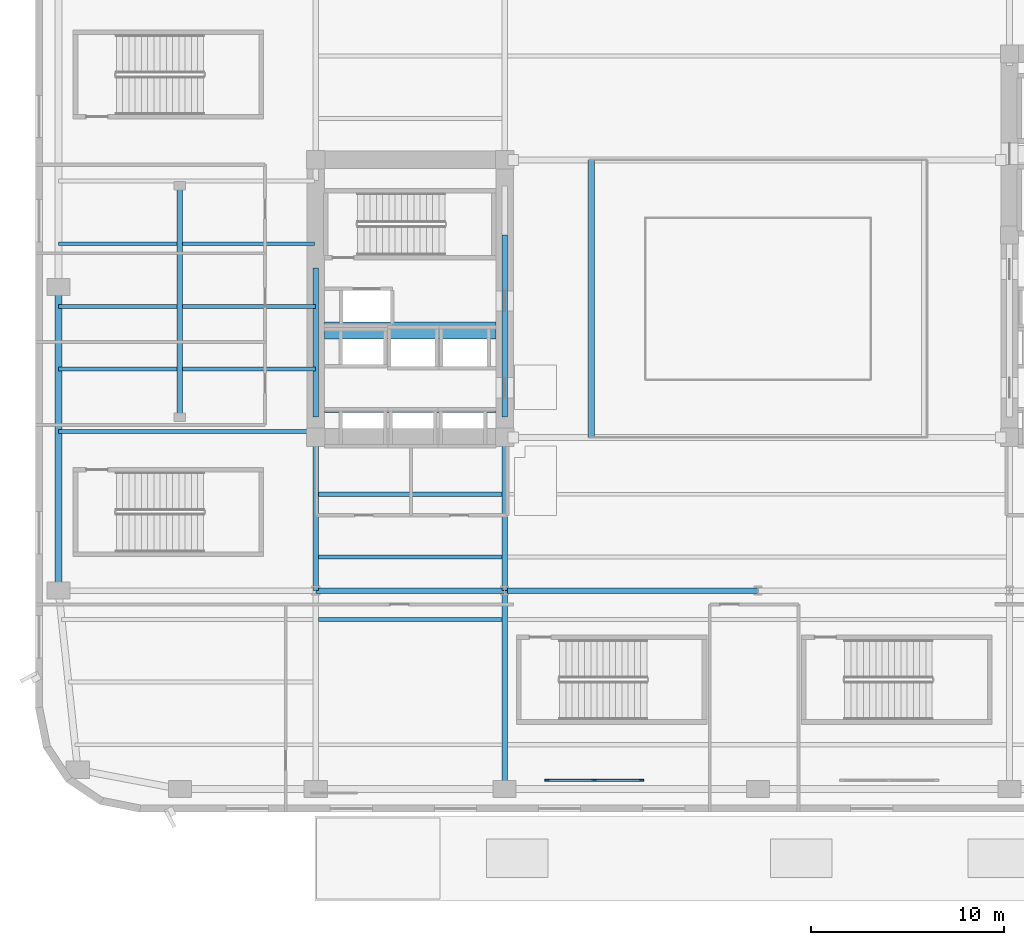
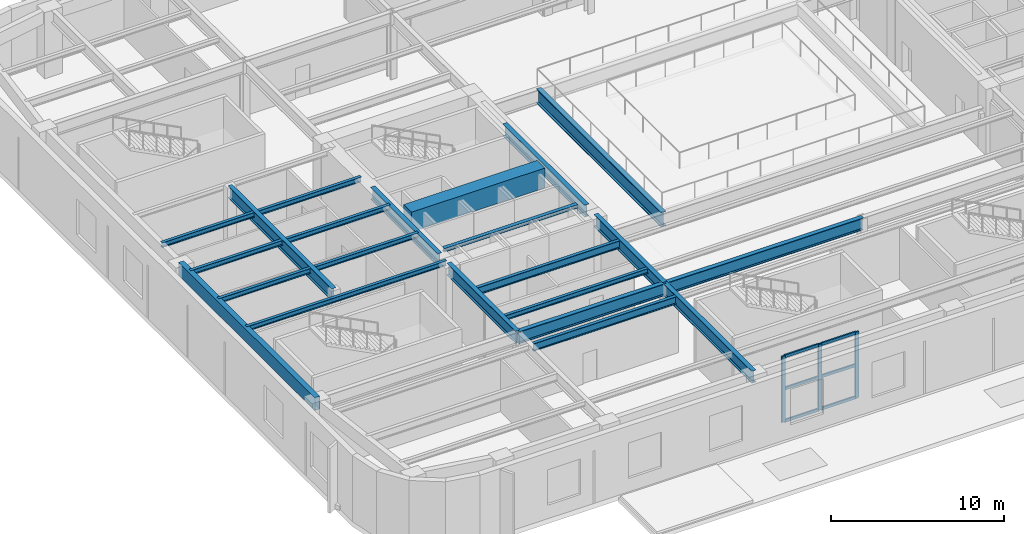
# One storey, part 2 of 24: 22 beams, 9 members, 1 element without a shape of its own.
"""IFC4 building model written with IfcOpenShell, lengths in metres."""

from ifc_helpers import new_model, si_unit, direction, frame, origin, origin_2d, place, context, subcontext, project, spatial, rectangle, hollow_rectangle, i_section, extrude, material, material_profile, profile_set, type_object, element, aggregate, save


model = new_model("IFC4")

# Units and contexts
model_context = context("Model", 3, precision=1e-05, world=origin(), true_north=direction((0.0, 1.0)))
body_context = subcontext(model_context, "Body", "Model", "MODEL_VIEW")
ifc_project = project(units=[si_unit("LENGTHUNIT", "METRE"), si_unit("AREAUNIT", "SQUARE_METRE"), si_unit("VOLUMEUNIT", "CUBIC_METRE"), si_unit("PLANEANGLEUNIT", "RADIAN"), si_unit("MASSUNIT", "GRAM", prefix="KILO")], contexts=[model_context])

# Site, building, storey
site_placement = place(None, origin())
site = spatial("IfcSite", under=ifc_project, at=site_placement, CompositionType="ELEMENT")
building_placement = place(site_placement, origin())
building = spatial("IfcBuilding", under=site, at=building_placement, Name="Kolvaren Arena Tower", CompositionType="ELEMENT")
storey_placement = place(building_placement, frame((0.0, 0.0, 8.0)))
storey = spatial("IfcBuildingStorey", under=building, at=storey_placement, Name="L01", CompositionType="ELEMENT", Elevation=8.0)

# Beams
ifc_material_1 = material(Name="Steel CSA G40.21 350W", Category="steel")
ifc_material_profile_1 = material_profile(ifc_material_1, i_section(OverallWidth=0.2119140625, OverallDepth=0.54296875, WebThickness=0.01318359375, FlangeThickness=0.0244140625, FilletRadius=0.013916015625, at=origin_2d()), Name="W530x150")
ifc_profile_set_1 = profile_set([ifc_material_profile_1], Name="Steel CSA G40.21 350W")
beam_type_1 = type_object("IfcBeamType", Name="BEAM-F1", PredefinedType="BEAM", material=ifc_profile_set_1)
for number, where, z_axis, x_axis, name in (
    (1, (14.696044921875, 10.0, 4.37841796875), (1.0, 0.0, 0.0), (0.0, 1.0, 0.0), "Composite Floor Beam (L01)"),
    (2, (14.696044921875, 16.5, 4.37841796875), (1.0, 0.0, 0.0), (0.0, 1.0, 0.0), "Composite Floor Beam (L01)"),
):
    element("IfcBeam", number, at=place(storey_placement, frame(where, z_axis=z_axis, x_axis=x_axis)), inside=storey, type_object=beam_type_1, Name=name, PredefinedType="BEAM", context=body_context, shape_type="SweptSolid", body=[
        extrude(i_section(OverallWidth=0.2119140625, OverallDepth=0.54296875, WebThickness=0.01318359375, FlangeThickness=0.0244140625, FilletRadius=0.013916015625, at=origin_2d()), origin(), (0.0, 0.0, 1.0), 9.508056640625),
    ])
ifc_material_2 = material(Name="Concrete 75 MPa", Category="concrete")
ifc_material_profile_2 = material_profile(ifc_material_2, rectangle(XDim=0.89990234375, YDim=1.39990234375, at=origin_2d()), Name="RC-900x1400")
ifc_profile_set_2 = profile_set([ifc_material_profile_2], Name="Concrete 75 MPa")
beam_type_2 = type_object("IfcBeamType", Name="CB-CORE-1", PredefinedType="BEAM", material=ifc_profile_set_2)
beam_1_placement = place(storey_placement, frame((15.0, 25.0, 4.219970703125), z_axis=(1.0, 0.0, 0.0), x_axis=(0.0, 1.0, 0.0)))
element("IfcBeam", 3, at=beam_1_placement, inside=storey, type_object=beam_type_2, Name="West Core Coupling Beam (L01)", PredefinedType="BEAM", context=body_context, shape_type="SweptSolid", body=[
    extrude(rectangle(XDim=0.89990234375, YDim=1.39990234375, at=origin_2d()), origin(), (0.0, 0.0, 1.0), 8.89990234375),
])

# Curtain wall, members
ifc_material_3 = material(Name="Anodised aluminium unitised curtain wall", Category="aluminium")
curtain_wall_type = type_object("IfcCurtainWallType", Name="CW-SYS-02", PredefinedType="USERDEFINED", material=ifc_material_3)
curtain_wall_placement = place(storey_placement, origin())
curtain_wall = element("IfcCurtainWall", 4, at=curtain_wall_placement, inside=storey, type_object=curtain_wall_type, Name="Arena Concourse Grand Portal Curtain Wall (L01)", ObjectType="UNITISED CURTAIN WALL", PredefinedType="USERDEFINED")
ifc_material_4 = material(Name="Anodised aluminium 6063-T6", Category="aluminium")
ifc_material_profile_3 = material_profile(ifc_material_4, rectangle(XDim=0.10009765625, YDim=0.239990234375, at=origin_2d()), Name="ALU-100x240")
ifc_profile_set_3 = profile_set([ifc_material_profile_3], Name="Anodised aluminium 6063-T6")
member_type_1 = type_object("IfcMemberType", Name="CWM-HVY", PredefinedType="MULLION", material=ifc_profile_set_3)
member_1_placement = place(storey_placement, frame((26.550048828125, 1.64990234375, 0.0), z_axis=(0.0, 0.0, 1.0), x_axis=(0.0, 1.0, 0.0)))
member_1 = element("IfcMember", 5, at=member_1_placement, type_object=member_type_1, Name="CW2 mullion 1", PredefinedType="MULLION", context=body_context, shape_type="SweptSolid", body=[
    extrude(rectangle(XDim=0.10009765625, YDim=0.239990234375, at=origin_2d()), origin(), (0.0, 0.0, 1.0), 4.64990234375),
])
member_2_placement = place(storey_placement, frame((29.0, 1.64990234375, 0.0), z_axis=(0.0, 0.0, 1.0), x_axis=(0.0, 1.0, 0.0)))
member_2 = element("IfcMember", 6, at=member_2_placement, type_object=member_type_1, Name="CW2 mullion 2", PredefinedType="MULLION", context=body_context, shape_type="SweptSolid", body=[
    extrude(rectangle(XDim=0.10009765625, YDim=0.239990234375, at=origin_2d()), origin(), (0.0, 0.0, 1.0), 4.64990234375),
])
member_3_placement = place(storey_placement, frame((31.449951171875, 1.64990234375, 0.0), z_axis=(0.0, 0.0, 1.0), x_axis=(0.0, 1.0, 0.0)))
member_3 = element("IfcMember", 7, at=member_3_placement, type_object=member_type_1, Name="CW2 mullion 3", PredefinedType="MULLION", context=body_context, shape_type="SweptSolid", body=[
    extrude(rectangle(XDim=0.10009765625, YDim=0.239990234375, at=origin_2d()), origin(), (0.0, 0.0, 1.0), 4.64990234375),
])
ifc_material_profile_4 = material_profile(ifc_material_4, rectangle(XDim=0.10009765625, YDim=0.199951171875, at=origin_2d()), Name="ALU-100x200")
ifc_profile_set_4 = profile_set([ifc_material_profile_4], Name="Anodised aluminium 6063-T6")
member_type_2 = type_object("IfcMemberType", Name="CWT-HVY", PredefinedType="USERDEFINED", material=ifc_profile_set_4)
member_4_placement = place(storey_placement, frame((26.60009765625, 1.64990234375, 0.050048828125), z_axis=(1.0, 0.0, 0.0), x_axis=(0.0, 1.0, 0.0)))
member_4 = element("IfcMember", 8, at=member_4_placement, type_object=member_type_2, Name="CW2 transom 1.1", ObjectType="TRANSOM", PredefinedType="USERDEFINED", context=body_context, shape_type="SweptSolid", body=[
    extrude(rectangle(XDim=0.10009765625, YDim=0.199951171875, at=origin_2d()), origin(), (0.0, 0.0, 1.0), 2.349853515625),
])
member_5_placement = place(storey_placement, frame((26.60009765625, 1.64990234375, 2.324951171875), z_axis=(1.0, 0.0, 0.0), x_axis=(0.0, 1.0, 0.0)))
member_5 = element("IfcMember", 9, at=member_5_placement, type_object=member_type_2, Name="CW2 transom 1.2", ObjectType="TRANSOM", PredefinedType="USERDEFINED", context=body_context, shape_type="SweptSolid", body=[
    extrude(rectangle(XDim=0.10009765625, YDim=0.199951171875, at=origin_2d()), origin(), (0.0, 0.0, 1.0), 2.349853515625),
])
member_6_placement = place(storey_placement, frame((26.60009765625, 1.64990234375, 4.60009765625), z_axis=(1.0, 0.0, 0.0), x_axis=(0.0, 1.0, 0.0)))
member_6 = element("IfcMember", 10, at=member_6_placement, type_object=member_type_2, Name="CW2 transom 1.3", ObjectType="TRANSOM", PredefinedType="USERDEFINED", context=body_context, shape_type="SweptSolid", body=[
    extrude(rectangle(XDim=0.10009765625, YDim=0.199951171875, at=origin_2d()), origin(), (0.0, 0.0, 1.0), 2.349853515625),
])
member_7_placement = place(storey_placement, frame((29.050048828125, 1.64990234375, 0.050048828125), z_axis=(1.0, 0.0, 0.0), x_axis=(0.0, 1.0, 0.0)))
member_7 = element("IfcMember", 11, at=member_7_placement, type_object=member_type_2, Name="CW2 transom 2.1", ObjectType="TRANSOM", PredefinedType="USERDEFINED", context=body_context, shape_type="SweptSolid", body=[
    extrude(rectangle(XDim=0.10009765625, YDim=0.199951171875, at=origin_2d()), origin(), (0.0, 0.0, 1.0), 2.349853515625),
])
member_8_placement = place(storey_placement, frame((29.050048828125, 1.64990234375, 2.324951171875), z_axis=(1.0, 0.0, 0.0), x_axis=(0.0, 1.0, 0.0)))
member_8 = element("IfcMember", 12, at=member_8_placement, type_object=member_type_2, Name="CW2 transom 2.2", ObjectType="TRANSOM", PredefinedType="USERDEFINED", context=body_context, shape_type="SweptSolid", body=[
    extrude(rectangle(XDim=0.10009765625, YDim=0.199951171875, at=origin_2d()), origin(), (0.0, 0.0, 1.0), 2.349853515625),
])
member_9_placement = place(storey_placement, frame((29.050048828125, 1.64990234375, 4.60009765625), z_axis=(1.0, 0.0, 0.0), x_axis=(0.0, 1.0, 0.0)))
member_9 = element("IfcMember", 13, at=member_9_placement, type_object=member_type_2, Name="CW2 transom 2.3", ObjectType="TRANSOM", PredefinedType="USERDEFINED", context=body_context, shape_type="SweptSolid", body=[
    extrude(rectangle(XDim=0.10009765625, YDim=0.199951171875, at=origin_2d()), origin(), (0.0, 0.0, 1.0), 2.349853515625),
])
aggregate(curtain_wall, [member_1, member_2, member_3, member_4, member_5, member_6, member_7, member_8, member_9])

# Beams
ifc_material_profile_5 = material_profile(ifc_material_1, i_section(OverallWidth=0.2919921875, OverallDepth=0.85498046875, WebThickness=0.02099609375, FlangeThickness=0.03564453125, FilletRadius=0.01806640625, at=origin_2d()), Name="W840x299")
ifc_profile_set_5 = profile_set([ifc_material_profile_5], Name="Steel CSA G40.21 350W")
beam_type_3 = type_object("IfcBeamType", Name="GIRD-P1", PredefinedType="BEAM", material=ifc_profile_set_5)
beam_2_placement = place(storey_placement, frame((14.550048828125, 11.5, 4.222412109375), z_axis=(1.0, 0.0, 0.0), x_axis=(0.0, 1.0, 0.0)))
element("IfcBeam", 14, at=beam_2_placement, inside=storey, type_object=beam_type_3, Name="Primary Floor Girder (L01)", PredefinedType="BEAM", context=body_context, shape_type="SweptSolid", body=[
    extrude(i_section(OverallWidth=0.2919921875, OverallDepth=0.85498046875, WebThickness=0.02099609375, FlangeThickness=0.03564453125, FilletRadius=0.01806640625, at=origin_2d()), origin(), (0.0, 0.0, 1.0), 9.800048828125),
])
beam_3_placement = place(storey_placement, frame((24.35009765625, 11.5, 4.222412109375), z_axis=(1.0, 0.0, 0.0), x_axis=(0.0, 1.0, 0.0)))
element("IfcBeam", 15, at=beam_3_placement, inside=storey, type_object=beam_type_3, Name="Primary Floor Girder (L01)", PredefinedType="BEAM", context=body_context, shape_type="SweptSolid", body=[
    extrude(i_section(OverallWidth=0.2919921875, OverallDepth=0.85498046875, WebThickness=0.02099609375, FlangeThickness=0.03564453125, FilletRadius=0.01806640625, at=origin_2d()), origin(), (0.0, 0.0, 1.0), 13.14990234375),
])
beam_4_placement = place(storey_placement, frame((7.5, 20.5, 4.222412109375), z_axis=(0.0, 1.0, 0.0), x_axis=(-1.0, 0.0, 0.0)))
element("IfcBeam", 16, at=beam_4_placement, inside=storey, type_object=beam_type_3, Name="Primary Floor Girder (L01)", PredefinedType="BEAM", context=body_context, shape_type="SweptSolid", body=[
    extrude(i_section(OverallWidth=0.2919921875, OverallDepth=0.85498046875, WebThickness=0.02099609375, FlangeThickness=0.03564453125, FilletRadius=0.01806640625, at=origin_2d()), origin(), (0.0, 0.0, 1.0), 12.0),
])
beam_5_placement = place(storey_placement, frame((14.550048828125, 11.5, 4.222412109375), z_axis=(0.0, 1.0, 0.0), x_axis=(-1.0, 0.0, 0.0)))
element("IfcBeam", 17, at=beam_5_placement, inside=storey, type_object=beam_type_3, Name="Primary Floor Girder (L01)", PredefinedType="BEAM", context=body_context, shape_type="SweptSolid", body=[
    extrude(i_section(OverallWidth=0.2919921875, OverallDepth=0.85498046875, WebThickness=0.02099609375, FlangeThickness=0.03564453125, FilletRadius=0.01806640625, at=origin_2d()), origin(), (0.0, 0.0, 1.0), 7.949951171875),
])
beam_6_placement = place(storey_placement, frame((14.550048828125, 20.5, 4.222412109375), z_axis=(0.0, 1.0, 0.0), x_axis=(-1.0, 0.0, 0.0)))
element("IfcBeam", 18, at=beam_6_placement, inside=storey, type_object=beam_type_3, Name="Primary Floor Girder (L01)", PredefinedType="BEAM", context=body_context, shape_type="SweptSolid", body=[
    extrude(i_section(OverallWidth=0.2919921875, OverallDepth=0.85498046875, WebThickness=0.02099609375, FlangeThickness=0.03564453125, FilletRadius=0.01806640625, at=origin_2d()), origin(), (0.0, 0.0, 1.0), 7.739990234375),
])
beam_7_placement = place(storey_placement, frame((24.35009765625, 1.199951171875, 4.222412109375), z_axis=(0.0, 1.0, 0.0), x_axis=(-1.0, 0.0, 0.0)))
element("IfcBeam", 19, at=beam_7_placement, inside=storey, type_object=beam_type_3, Name="Primary Floor Girder (L01)", PredefinedType="BEAM", context=body_context, shape_type="SweptSolid", body=[
    extrude(i_section(OverallWidth=0.2919921875, OverallDepth=0.85498046875, WebThickness=0.02099609375, FlangeThickness=0.03564453125, FilletRadius=0.01806640625, at=origin_2d()), origin(), (0.0, 0.0, 1.0), 10.300048828125),
])
beam_8_placement = place(storey_placement, frame((24.35009765625, 11.5, 4.222412109375), z_axis=(0.0, 1.0, 0.0), x_axis=(-1.0, 0.0, 0.0)))
element("IfcBeam", 20, at=beam_8_placement, inside=storey, type_object=beam_type_3, Name="Primary Floor Girder (L01)", PredefinedType="BEAM", context=body_context, shape_type="SweptSolid", body=[
    extrude(i_section(OverallWidth=0.2919921875, OverallDepth=0.85498046875, WebThickness=0.02099609375, FlangeThickness=0.03564453125, FilletRadius=0.01806640625, at=origin_2d()), origin(), (0.0, 0.0, 1.0), 7.949951171875),
])
beam_9_placement = place(storey_placement, frame((24.35009765625, 20.5, 4.222412109375), z_axis=(0.0, 1.0, 0.0), x_axis=(-1.0, 0.0, 0.0)))
element("IfcBeam", 21, at=beam_9_placement, inside=storey, type_object=beam_type_3, Name="Primary Floor Girder (L01)", PredefinedType="BEAM", context=body_context, shape_type="SweptSolid", body=[
    extrude(i_section(OverallWidth=0.2919921875, OverallDepth=0.85498046875, WebThickness=0.02099609375, FlangeThickness=0.03564453125, FilletRadius=0.01806640625, at=origin_2d()), origin(), (0.0, 0.0, 1.0), 9.449951171875),
])
ifc_material_profile_6 = material_profile(ifc_material_1, i_section(OverallWidth=0.202880859375, OverallDepth=0.346923828125, WebThickness=0.0078125, FlangeThickness=0.013427734375, FilletRadius=0.010986328125, at=origin_2d()), Name="W360x64")
ifc_profile_set_6 = profile_set([ifc_material_profile_6], Name="Steel CSA G40.21 350W")
beam_type_4 = type_object("IfcBeamType", Name="JOIST-01", PredefinedType="JOIST", material=ifc_profile_set_6)
beam_10_placement = place(storey_placement, frame((14.696044921875, 13.25, 4.4765625), z_axis=(1.0, 0.0, 0.0), x_axis=(0.0, 1.0, 0.0)))
element("IfcBeam", 22, at=beam_10_placement, inside=storey, type_object=beam_type_4, Name="Composite Floor Joist (L01)", PredefinedType="JOIST", context=body_context, shape_type="SweptSolid", body=[
    extrude(i_section(OverallWidth=0.202880859375, OverallDepth=0.346923828125, WebThickness=0.0078125, FlangeThickness=0.013427734375, FilletRadius=0.010986328125, at=origin_2d()), origin(), (0.0, 0.0, 1.0), 9.508056640625),
])
beam_11_placement = place(storey_placement, frame((1.199951171875, 19.75, 4.4765625), z_axis=(1.0, 0.0, 0.0), x_axis=(0.0, 1.0, 0.0)))
element("IfcBeam", 23, at=beam_11_placement, inside=storey, type_object=beam_type_4, Name="Composite Floor Joist (L01)", PredefinedType="JOIST", context=body_context, shape_type="SweptSolid", body=[
    extrude(i_section(OverallWidth=0.202880859375, OverallDepth=0.346923828125, WebThickness=0.0078125, FlangeThickness=0.013427734375, FilletRadius=0.010986328125, at=origin_2d()), origin(), (0.0, 0.0, 1.0), 13.330078125),
])
beam_12_placement = place(storey_placement, frame((1.199951171875, 23.0, 4.4765625), z_axis=(1.0, 0.0, 0.0), x_axis=(0.0, 1.0, 0.0)))
element("IfcBeam", 24, at=beam_12_placement, inside=storey, type_object=beam_type_4, Name="Composite Floor Joist (L01)", PredefinedType="JOIST", context=body_context, shape_type="SweptSolid", body=[
    extrude(i_section(OverallWidth=0.202880859375, OverallDepth=0.346923828125, WebThickness=0.0078125, FlangeThickness=0.013427734375, FilletRadius=0.010986328125, at=origin_2d()), origin(), (0.0, 0.0, 1.0), 6.154052734375),
])
beam_13_placement = place(storey_placement, frame((7.64599609375, 23.0, 4.4765625), z_axis=(1.0, 0.0, 0.0), x_axis=(0.0, 1.0, 0.0)))
element("IfcBeam", 25, at=beam_13_placement, inside=storey, type_object=beam_type_4, Name="Composite Floor Joist (L01)", PredefinedType="JOIST", context=body_context, shape_type="SweptSolid", body=[
    extrude(i_section(OverallWidth=0.202880859375, OverallDepth=0.346923828125, WebThickness=0.0078125, FlangeThickness=0.013427734375, FilletRadius=0.010986328125, at=origin_2d()), origin(), (0.0, 0.0, 1.0), 6.884033203125),
])
beam_14_placement = place(storey_placement, frame((1.199951171875, 26.25, 4.4765625), z_axis=(1.0, 0.0, 0.0), x_axis=(0.0, 1.0, 0.0)))
element("IfcBeam", 26, at=beam_14_placement, inside=storey, type_object=beam_type_4, Name="Composite Floor Joist (L01)", PredefinedType="JOIST", context=body_context, shape_type="SweptSolid", body=[
    extrude(i_section(OverallWidth=0.202880859375, OverallDepth=0.346923828125, WebThickness=0.0078125, FlangeThickness=0.013427734375, FilletRadius=0.010986328125, at=origin_2d()), origin(), (0.0, 0.0, 1.0), 6.154052734375),
])
beam_15_placement = place(storey_placement, frame((7.64599609375, 26.25, 4.4765625), z_axis=(1.0, 0.0, 0.0), x_axis=(0.0, 1.0, 0.0)))
element("IfcBeam", 27, at=beam_15_placement, inside=storey, type_object=beam_type_4, Name="Composite Floor Joist (L01)", PredefinedType="JOIST", context=body_context, shape_type="SweptSolid", body=[
    extrude(i_section(OverallWidth=0.202880859375, OverallDepth=0.346923828125, WebThickness=0.0078125, FlangeThickness=0.013427734375, FilletRadius=0.010986328125, at=origin_2d()), origin(), (0.0, 0.0, 1.0), 6.884033203125),
])
beam_16_placement = place(storey_placement, frame((1.199951171875, 29.5, 4.4765625), z_axis=(1.0, 0.0, 0.0), x_axis=(0.0, 1.0, 0.0)))
element("IfcBeam", 28, at=beam_16_placement, inside=storey, type_object=beam_type_4, Name="Composite Floor Joist (L01)", PredefinedType="JOIST", context=body_context, shape_type="SweptSolid", body=[
    extrude(i_section(OverallWidth=0.202880859375, OverallDepth=0.346923828125, WebThickness=0.0078125, FlangeThickness=0.013427734375, FilletRadius=0.010986328125, at=origin_2d()), origin(), (0.0, 0.0, 1.0), 6.154052734375),
])
beam_17_placement = place(storey_placement, frame((7.64599609375, 29.5, 4.4765625), z_axis=(1.0, 0.0, 0.0), x_axis=(0.0, 1.0, 0.0)))
element("IfcBeam", 29, at=beam_17_placement, inside=storey, type_object=beam_type_4, Name="Composite Floor Joist (L01)", PredefinedType="JOIST", context=body_context, shape_type="SweptSolid", body=[
    extrude(i_section(OverallWidth=0.202880859375, OverallDepth=0.346923828125, WebThickness=0.0078125, FlangeThickness=0.013427734375, FilletRadius=0.010986328125, at=origin_2d()), origin(), (0.0, 0.0, 1.0), 6.833984375),
])
ifc_material_profile_7 = material_profile(ifc_material_1, i_section(OverallWidth=0.25390625, OverallDepth=0.2529296875, WebThickness=0.008544921875, FlangeThickness=0.01416015625, FilletRadius=0.010009765625, at=origin_2d()), Name="W250x73")
ifc_profile_set_7 = profile_set([ifc_material_profile_7], Name="Steel CSA G40.21 350W")
beam_type_5 = type_object("IfcBeamType", Name="LINT-02", PredefinedType="LINTEL", material=ifc_profile_set_7)
beam_18_placement = place(storey_placement, frame((15.0, 20.8798828125, 4.5234375), z_axis=(1.0, 0.0, 0.0), x_axis=(0.0, 1.0, 0.0)))
element("IfcBeam", 30, at=beam_18_placement, inside=storey, type_object=beam_type_5, Name="West Lift Lobby Portal Lintel (L01)", PredefinedType="LINTEL", context=body_context, shape_type="SweptSolid", body=[
    extrude(i_section(OverallWidth=0.25390625, OverallDepth=0.2529296875, WebThickness=0.008544921875, FlangeThickness=0.01416015625, FilletRadius=0.010009765625, at=origin_2d()), origin(), (0.0, 0.0, 1.0), 8.89990234375),
])
ifc_material_profile_8 = material_profile(ifc_material_1, i_section(OverallWidth=0.323974609375, OverallDepth=1.011962890625, WebThickness=0.02685546875, FlangeThickness=0.0458984375, FilletRadius=0.02197265625, at=origin_2d()), Name="W1000x443")
ifc_profile_set_8 = profile_set([ifc_material_profile_8], Name="Steel CSA G40.21 350W")
beam_type_6 = type_object("IfcBeamType", Name="RAKER-01", PredefinedType="USERDEFINED", material=ifc_profile_set_8)
beam_19_placement = place(storey_placement, frame((28.85009765625, 19.449951171875, 2.68408203125), z_axis=(0.0, 1.0, 0.0), x_axis=(-1.0, 0.0, 0.0)))
element("IfcBeam", 31, at=beam_19_placement, inside=storey, type_object=beam_type_6, Name="Arena Bowl Raker Girder (L01 W)", ObjectType="RAKER GIRDER", PredefinedType="USERDEFINED", context=body_context, shape_type="SweptSolid", body=[
    extrude(i_section(OverallWidth=0.323974609375, OverallDepth=1.011962890625, WebThickness=0.02685546875, FlangeThickness=0.0458984375, FilletRadius=0.02197265625, at=origin_2d()), origin(), (0.0, 0.0, 1.0), 14.400146484375),
])
ifc_material_5 = material(Name="Steel CSA G40.21 350WT", Category="steel")
ifc_material_profile_9 = material_profile(ifc_material_5, hollow_rectangle(XDim=0.35009765625, YDim=0.89990234375, WallThickness=0.02001953125, at=origin_2d()), Name="HSS 900x350x20")
ifc_profile_set_9 = profile_set([ifc_material_profile_9], Name="Steel CSA G40.21 350WT")
beam_type_7 = type_object("IfcBeamType", Name="SPAND-01", PredefinedType="SPANDREL", material=ifc_profile_set_9)
beam_20_placement = place(storey_placement, frame((1.199951171875, 27.25, 4.199951171875), z_axis=(0.0, -1.0, 0.0), x_axis=(1.0, 0.0, 0.0)))
element("IfcBeam", 32, at=beam_20_placement, inside=storey, type_object=beam_type_7, Name="Perimeter Spandrel Beam (L01)", PredefinedType="SPANDREL", context=body_context, shape_type="SweptSolid", body=[
    extrude(hollow_rectangle(XDim=0.35009765625, YDim=0.89990234375, WallThickness=0.02001953125, at=origin_2d()), origin(), (0.0, 0.0, 1.0), 15.75),
])

save(model, "model.ifc")
